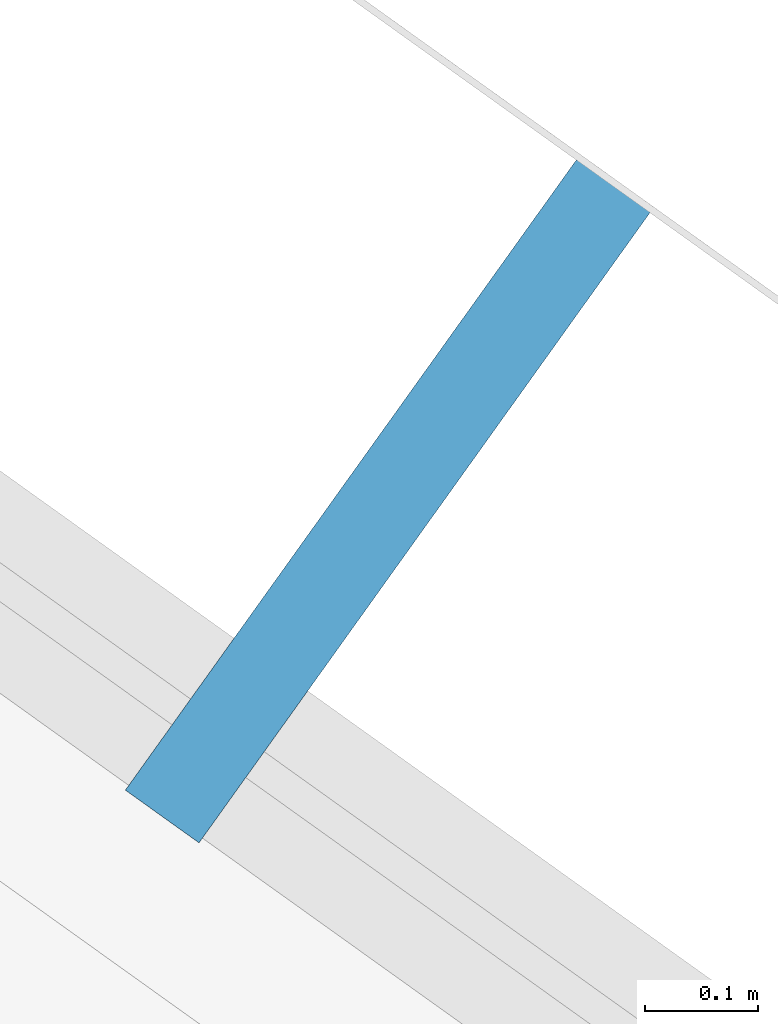
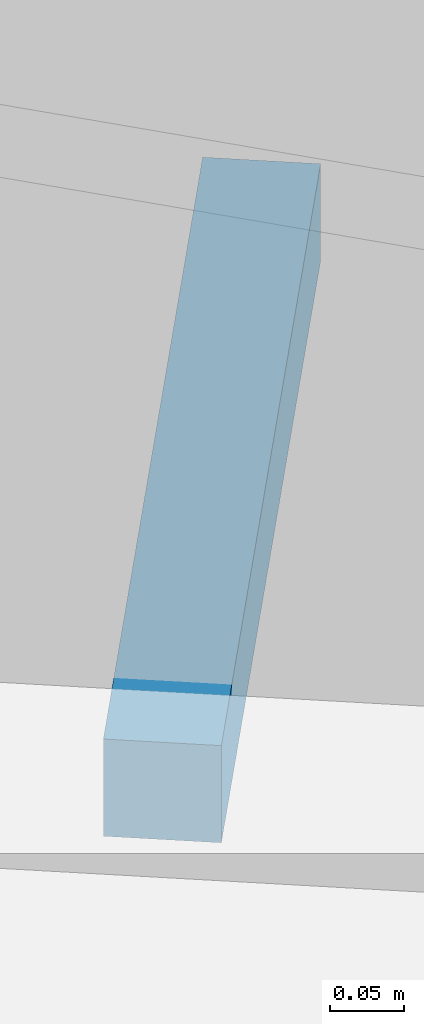
# One storey, part 15 of 18: 1 discrete accessory.
"""IFC4 building model written with IfcOpenShell, lengths in metres."""

from ifc_helpers import new_model, si_unit, direction, frame, origin, origin_2d, place, context, subcontext, project, spatial, rectangle, extrude, element, save


model = new_model("IFC4")

# Units and contexts
model_context = context("Model", 3, precision=1e-05, world=origin(), true_north=direction((0.0, 1.0)))
body_context = subcontext(model_context, "Body", "Model", "MODEL_VIEW")
ifc_project = project(units=[si_unit("LENGTHUNIT", "METRE"), si_unit("AREAUNIT", "SQUARE_METRE"), si_unit("VOLUMEUNIT", "CUBIC_METRE"), si_unit("PLANEANGLEUNIT", "RADIAN"), si_unit("MASSUNIT", "GRAM", prefix="KILO")], contexts=[model_context])

# Site, building, storey
site_placement = place(None, origin())
site = spatial("IfcSite", under=ifc_project, at=site_placement, CompositionType="ELEMENT")
building_placement = place(site_placement, origin())
building = spatial("IfcBuilding", under=site, at=building_placement, Name="Lantaw Convention Tower", CompositionType="ELEMENT")
storey_placement = place(building_placement, frame((0.0, 0.0, 167.800048828125)))
storey = spatial("IfcBuildingStorey", under=building, at=storey_placement, Name="L39", CompositionType="ELEMENT", Elevation=167.800048828125)

# Discrete accessory
discrete_accessory_placement = place(storey_placement, frame((22.044189453125, 14.10546875, -0.114990234375), z_axis=(0.0, 0.0, 1.0), x_axis=(-0.813208325995, 0.581972695693, 0.0)))
element("IfcDiscreteAccessory", 1, at=discrete_accessory_placement, inside=storey, Name="Screen bracket", PredefinedType="BRACKET", context=body_context, shape_type="SweptSolid", body=[
    extrude(rectangle(XDim=0.080078125, YDim=0.68798828125, at=origin_2d()), origin(), (0.0, 0.0, 1.0), 0.080078125),
])

save(model, "model.ifc")
